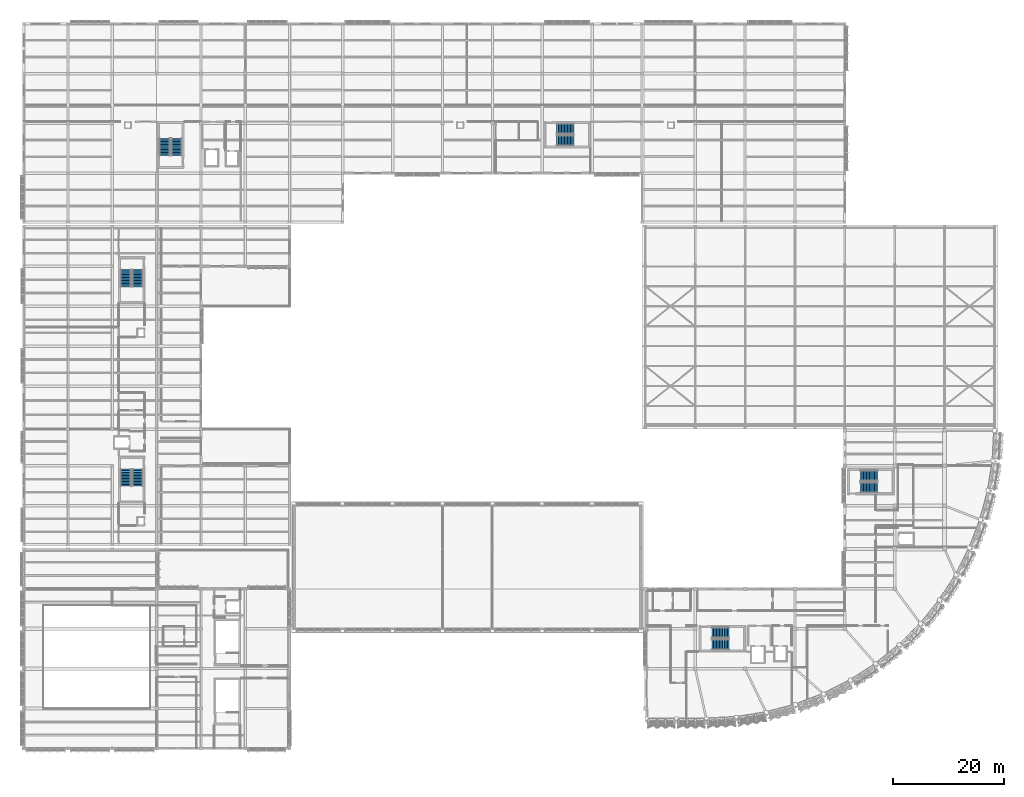
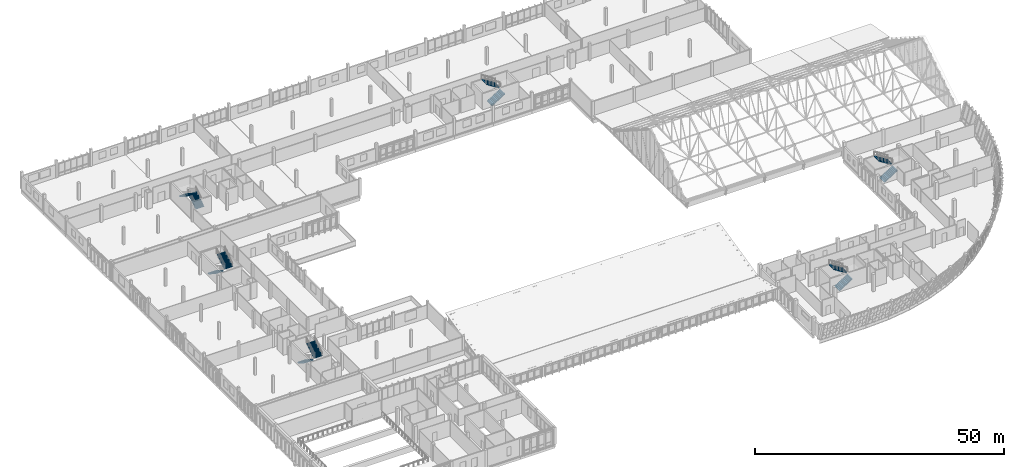
# One storey, part 176 of 182: 12 stair flights, 6 elements without a shape of their own.
"""IFC4 building model written with IfcOpenShell, lengths in metres."""

from ifc_helpers import new_model, si_unit, direction, frame, origin, place, context, subcontext, project, spatial, polyline, outline, extrude, material, type_object, element, aggregate, save


model = new_model("IFC4")

# Units and contexts
model_context = context("Model", 3, precision=1e-05, world=origin(), true_north=direction((0.0, 1.0)))
body_context = subcontext(model_context, "Body", "Model", "MODEL_VIEW")
ifc_project = project(units=[si_unit("LENGTHUNIT", "METRE"), si_unit("AREAUNIT", "SQUARE_METRE"), si_unit("VOLUMEUNIT", "CUBIC_METRE"), si_unit("PLANEANGLEUNIT", "RADIAN"), si_unit("MASSUNIT", "GRAM", prefix="KILO")], contexts=[model_context])

# Site, building, storey
site_placement = place(None, origin())
site = spatial("IfcSite", under=ifc_project, at=site_placement, CompositionType="ELEMENT")
building_placement = place(site_placement, origin())
building = spatial("IfcBuilding", under=site, at=building_placement, Name="Chiffa Square Polytechnic", CompositionType="ELEMENT")
storey_placement = place(building_placement, frame((0.0, 0.0, 9.60009765625)))
storey = spatial("IfcBuildingStorey", under=building, at=storey_placement, Name="L02", CompositionType="ELEMENT", Elevation=9.60009765625)

# Stair, stair flights
ifc_material = material(Name="Concrete C35/45", Category="concrete")
stair_type = type_object("IfcStairType", Name="STAIR-DOG-1950", PredefinedType="HALF_TURN_STAIR", material=ifc_material)
stair_1_placement = place(storey_placement, origin())
stair_1 = element("IfcStair", 1, at=stair_1_placement, inside=storey, type_object=stair_type, Name="L02 Enclosed exit stair ST-V1A", PredefinedType="HALF_TURN_STAIR")
stair_flight_type = type_object("IfcStairFlightType", Name="STFLT-1950", PredefinedType="STRAIGHT", material=ifc_material)
stair_flight_1_placement = place(storey_placement, frame((124.199951171875, 18.72509765625, 0.0), z_axis=(0.0, 0.0, 1.0), x_axis=(1.0, 0.0, 0.0)))
stair_flight_1 = element("IfcStairFlight", 2, at=stair_flight_1_placement, type_object=stair_flight_type, Name="ST-V1A flight 1", NumberOfRisers=12, NumberOfTreads=11, PredefinedType="STRAIGHT", RiserHeight=0.175, TreadLength=0.28, context=body_context, shape_type="SweptSolid", body=[
    extrude(outline(polyline([(0.0, 0.0), (0.0, 0.175048828125), (0.280029296875, 0.175048828125), (0.280029296875, 0.35009765625), (0.56005859375, 0.35009765625), (0.56005859375, 0.52490234375), (0.840087890625, 0.52490234375), (0.840087890625, 0.699951171875), (1.1201171875, 0.699951171875), (1.1201171875, 0.875), (1.39990234375, 0.875), (1.39990234375, 1.050048828125), (1.679931640625, 1.050048828125), (1.679931640625, 1.22509765625), (1.9599609375, 1.22509765625), (1.9599609375, 1.39990234375), (2.239990234375, 1.39990234375), (2.239990234375, 1.574951171875), (2.52001953125, 1.574951171875), (2.52001953125, 1.75), (2.800048828125, 1.75), (2.800048828125, 1.925048828125), (3.080078125, 1.925048828125), (3.080078125, 2.10009765625), (3.080078125, 1.736328125), (0.3017578125, 0.0), (0.0, 0.0)])), frame((0.0, 0.97509765625, 0.0), z_axis=(0.0, -1.0, 0.0), x_axis=(1.0, 0.0, 0.0)), (0.0, 0.0, 1.0), 1.949951171875),
])
stair_flight_2_placement = place(storey_placement, frame((127.280029296875, 20.875, 2.099853515625), z_axis=(0.0, 0.0, 1.0), x_axis=(-1.0, 0.0, 0.0)))
stair_flight_2 = element("IfcStairFlight", 3, at=stair_flight_2_placement, type_object=stair_flight_type, Name="ST-V1A flight 2", NumberOfRisers=12, NumberOfTreads=11, PredefinedType="STRAIGHT", RiserHeight=0.175, TreadLength=0.28, context=body_context, shape_type="SweptSolid", body=[
    extrude(outline(polyline([(0.0, 0.0), (0.0, 0.175048828125), (0.280029296875, 0.175048828125), (0.280029296875, 0.35009765625), (0.56005859375, 0.35009765625), (0.56005859375, 0.52490234375), (0.840087890625, 0.52490234375), (0.840087890625, 0.699951171875), (1.1201171875, 0.699951171875), (1.1201171875, 0.875), (1.39990234375, 0.875), (1.39990234375, 1.050048828125), (1.679931640625, 1.050048828125), (1.679931640625, 1.22509765625), (1.9599609375, 1.22509765625), (1.9599609375, 1.39990234375), (2.239990234375, 1.39990234375), (2.239990234375, 1.574951171875), (2.52001953125, 1.574951171875), (2.52001953125, 1.75), (2.800048828125, 1.75), (2.800048828125, 1.925048828125), (3.080078125, 1.925048828125), (3.080078125, 2.10009765625), (3.080078125, 1.736328125), (0.3017578125, 0.0), (0.0, 0.0)])), frame((0.0, 0.97509765625, 0.0), z_axis=(0.0, -1.0, 0.0), x_axis=(1.0, 0.0, 0.0)), (0.0, 0.0, 1.0), 1.949951171875),
])
aggregate(stair_1, [stair_flight_1, stair_flight_2])

stair_2_placement = place(storey_placement, origin())
stair_2 = element("IfcStair", 4, at=stair_2_placement, inside=storey, type_object=stair_type, Name="L02 Enclosed exit stair ST-V1B", PredefinedType="HALF_TURN_STAIR")
stair_flight_3_placement = place(storey_placement, frame((151.0, 47.074951171875, 0.0), z_axis=(0.0, 0.0, 1.0), x_axis=(1.0, 0.0, 0.0)))
stair_flight_3 = element("IfcStairFlight", 5, at=stair_flight_3_placement, type_object=stair_flight_type, Name="ST-V1B flight 1", NumberOfRisers=12, NumberOfTreads=11, PredefinedType="STRAIGHT", RiserHeight=0.175, TreadLength=0.28, context=body_context, shape_type="SweptSolid", body=[
    extrude(outline(polyline([(0.0, 0.0), (0.0, 0.175048828125), (0.280029296875, 0.175048828125), (0.280029296875, 0.35009765625), (0.56005859375, 0.35009765625), (0.56005859375, 0.52490234375), (0.840087890625, 0.52490234375), (0.840087890625, 0.699951171875), (1.1201171875, 0.699951171875), (1.1201171875, 0.875), (1.39990234375, 0.875), (1.39990234375, 1.050048828125), (1.679931640625, 1.050048828125), (1.679931640625, 1.22509765625), (1.9599609375, 1.22509765625), (1.9599609375, 1.39990234375), (2.239990234375, 1.39990234375), (2.239990234375, 1.574951171875), (2.52001953125, 1.574951171875), (2.52001953125, 1.75), (2.800048828125, 1.75), (2.800048828125, 1.925048828125), (3.080078125, 1.925048828125), (3.080078125, 2.10009765625), (3.080078125, 1.736328125), (0.3017578125, 0.0), (0.0, 0.0)])), frame((0.0, 0.97509765625, 0.0), z_axis=(0.0, -1.0, 0.0), x_axis=(1.0, 0.0, 0.0)), (0.0, 0.0, 1.0), 1.949951171875),
])
stair_flight_4_placement = place(storey_placement, frame((154.080078125, 49.22509765625, 2.099853515625), z_axis=(0.0, 0.0, 1.0), x_axis=(-1.0, 0.0, 0.0)))
stair_flight_4 = element("IfcStairFlight", 6, at=stair_flight_4_placement, type_object=stair_flight_type, Name="ST-V1B flight 2", NumberOfRisers=12, NumberOfTreads=11, PredefinedType="STRAIGHT", RiserHeight=0.175, TreadLength=0.28, context=body_context, shape_type="SweptSolid", body=[
    extrude(outline(polyline([(0.0, 0.0), (0.0, 0.175048828125), (0.280029296875, 0.175048828125), (0.280029296875, 0.35009765625), (0.56005859375, 0.35009765625), (0.56005859375, 0.52490234375), (0.840087890625, 0.52490234375), (0.840087890625, 0.699951171875), (1.1201171875, 0.699951171875), (1.1201171875, 0.875), (1.39990234375, 0.875), (1.39990234375, 1.050048828125), (1.679931640625, 1.050048828125), (1.679931640625, 1.22509765625), (1.9599609375, 1.22509765625), (1.9599609375, 1.39990234375), (2.239990234375, 1.39990234375), (2.239990234375, 1.574951171875), (2.52001953125, 1.574951171875), (2.52001953125, 1.75), (2.800048828125, 1.75), (2.800048828125, 1.925048828125), (3.080078125, 1.925048828125), (3.080078125, 2.10009765625), (3.080078125, 1.736328125), (0.3017578125, 0.0), (0.0, 0.0)])), frame((0.0, 0.97509765625, 0.0), z_axis=(0.0, -1.0, 0.0), x_axis=(1.0, 0.0, 0.0)), (0.0, 0.0, 1.0), 1.949951171875),
])
aggregate(stair_2, [stair_flight_3, stair_flight_4])

stair_3_placement = place(storey_placement, origin())
stair_3 = element("IfcStair", 7, at=stair_3_placement, inside=storey, type_object=stair_type, Name="L02 Enclosed exit stair ST-V5A", PredefinedType="HALF_TURN_STAIR")
stair_flight_5_placement = place(storey_placement, frame((27.625, 107.0, 0.0), z_axis=(0.0, 0.0, 1.0), x_axis=(0.0, 1.0, 0.0)))
stair_flight_5 = element("IfcStairFlight", 8, at=stair_flight_5_placement, type_object=stair_flight_type, Name="ST-V5A flight 1", NumberOfRisers=12, NumberOfTreads=11, PredefinedType="STRAIGHT", RiserHeight=0.175, TreadLength=0.28, context=body_context, shape_type="SweptSolid", body=[
    extrude(outline(polyline([(0.0, 0.0), (0.0, 0.175048828125), (0.280029296875, 0.175048828125), (0.280029296875, 0.35009765625), (0.56005859375, 0.35009765625), (0.56005859375, 0.52490234375), (0.840087890625, 0.52490234375), (0.840087890625, 0.699951171875), (1.1201171875, 0.699951171875), (1.1201171875, 0.875), (1.39990234375, 0.875), (1.39990234375, 1.050048828125), (1.679931640625, 1.050048828125), (1.679931640625, 1.22509765625), (1.9599609375, 1.22509765625), (1.9599609375, 1.39990234375), (2.239990234375, 1.39990234375), (2.239990234375, 1.574951171875), (2.52001953125, 1.574951171875), (2.52001953125, 1.75), (2.800048828125, 1.75), (2.800048828125, 1.925048828125), (3.080078125, 1.925048828125), (3.080078125, 2.10009765625), (3.080078125, 1.736328125), (0.3017578125, 0.0), (0.0, 0.0)])), frame((0.0, 0.97509765625, 0.0), z_axis=(0.0, -1.0, 0.0), x_axis=(1.0, 0.0, 0.0)), (0.0, 0.0, 1.0), 1.949951171875),
])
stair_flight_6_placement = place(storey_placement, frame((25.47509765625, 110.080078125, 2.099853515625), z_axis=(0.0, 0.0, 1.0), x_axis=(0.0, -1.0, 0.0)))
stair_flight_6 = element("IfcStairFlight", 9, at=stair_flight_6_placement, type_object=stair_flight_type, Name="ST-V5A flight 2", NumberOfRisers=12, NumberOfTreads=11, PredefinedType="STRAIGHT", RiserHeight=0.175, TreadLength=0.28, context=body_context, shape_type="SweptSolid", body=[
    extrude(outline(polyline([(0.0, 0.0), (0.0, 0.175048828125), (0.280029296875, 0.175048828125), (0.280029296875, 0.35009765625), (0.56005859375, 0.35009765625), (0.56005859375, 0.52490234375), (0.840087890625, 0.52490234375), (0.840087890625, 0.699951171875), (1.1201171875, 0.699951171875), (1.1201171875, 0.875), (1.39990234375, 0.875), (1.39990234375, 1.050048828125), (1.679931640625, 1.050048828125), (1.679931640625, 1.22509765625), (1.9599609375, 1.22509765625), (1.9599609375, 1.39990234375), (2.239990234375, 1.39990234375), (2.239990234375, 1.574951171875), (2.52001953125, 1.574951171875), (2.52001953125, 1.75), (2.800048828125, 1.75), (2.800048828125, 1.925048828125), (3.080078125, 1.925048828125), (3.080078125, 2.10009765625), (3.080078125, 1.736328125), (0.3017578125, 0.0), (0.0, 0.0)])), frame((0.0, 0.97509765625, 0.0), z_axis=(0.0, -1.0, 0.0), x_axis=(1.0, 0.0, 0.0)), (0.0, 0.0, 1.0), 1.949951171875),
])
aggregate(stair_3, [stair_flight_5, stair_flight_6])

stair_4_placement = place(storey_placement, origin())
stair_4 = element("IfcStair", 10, at=stair_4_placement, inside=storey, type_object=stair_type, Name="L02 Enclosed exit stair ST-V5B", PredefinedType="HALF_TURN_STAIR")
stair_flight_7_placement = place(storey_placement, frame((96.199951171875, 109.675048828125, 0.0), z_axis=(0.0, 0.0, 1.0), x_axis=(1.0, 0.0, 0.0)))
stair_flight_7 = element("IfcStairFlight", 11, at=stair_flight_7_placement, type_object=stair_flight_type, Name="ST-V5B flight 1", NumberOfRisers=12, NumberOfTreads=11, PredefinedType="STRAIGHT", RiserHeight=0.175, TreadLength=0.28, context=body_context, shape_type="SweptSolid", body=[
    extrude(outline(polyline([(0.0, 0.0), (0.0, 0.175048828125), (0.280029296875, 0.175048828125), (0.280029296875, 0.35009765625), (0.56005859375, 0.35009765625), (0.56005859375, 0.52490234375), (0.840087890625, 0.52490234375), (0.840087890625, 0.699951171875), (1.1201171875, 0.699951171875), (1.1201171875, 0.875), (1.39990234375, 0.875), (1.39990234375, 1.050048828125), (1.679931640625, 1.050048828125), (1.679931640625, 1.22509765625), (1.9599609375, 1.22509765625), (1.9599609375, 1.39990234375), (2.239990234375, 1.39990234375), (2.239990234375, 1.574951171875), (2.52001953125, 1.574951171875), (2.52001953125, 1.75), (2.800048828125, 1.75), (2.800048828125, 1.925048828125), (3.080078125, 1.925048828125), (3.080078125, 2.10009765625), (3.080078125, 1.736328125), (0.3017578125, 0.0), (0.0, 0.0)])), frame((0.0, 0.97509765625, 0.0), z_axis=(0.0, -1.0, 0.0), x_axis=(1.0, 0.0, 0.0)), (0.0, 0.0, 1.0), 1.949951171875),
])
stair_flight_8_placement = place(storey_placement, frame((99.280029296875, 111.824951171875, 2.099853515625), z_axis=(0.0, 0.0, 1.0), x_axis=(-1.0, 0.0, 0.0)))
stair_flight_8 = element("IfcStairFlight", 12, at=stair_flight_8_placement, type_object=stair_flight_type, Name="ST-V5B flight 2", NumberOfRisers=12, NumberOfTreads=11, PredefinedType="STRAIGHT", RiserHeight=0.175, TreadLength=0.28, context=body_context, shape_type="SweptSolid", body=[
    extrude(outline(polyline([(0.0, 0.0), (0.0, 0.175048828125), (0.280029296875, 0.175048828125), (0.280029296875, 0.35009765625), (0.56005859375, 0.35009765625), (0.56005859375, 0.52490234375), (0.840087890625, 0.52490234375), (0.840087890625, 0.699951171875), (1.1201171875, 0.699951171875), (1.1201171875, 0.875), (1.39990234375, 0.875), (1.39990234375, 1.050048828125), (1.679931640625, 1.050048828125), (1.679931640625, 1.22509765625), (1.9599609375, 1.22509765625), (1.9599609375, 1.39990234375), (2.239990234375, 1.39990234375), (2.239990234375, 1.574951171875), (2.52001953125, 1.574951171875), (2.52001953125, 1.75), (2.800048828125, 1.75), (2.800048828125, 1.925048828125), (3.080078125, 1.925048828125), (3.080078125, 2.10009765625), (3.080078125, 1.736328125), (0.3017578125, 0.0), (0.0, 0.0)])), frame((0.0, 0.97509765625, 0.0), z_axis=(0.0, -1.0, 0.0), x_axis=(1.0, 0.0, 0.0)), (0.0, 0.0, 1.0), 1.949951171875),
])
aggregate(stair_4, [stair_flight_7, stair_flight_8])

stair_5_placement = place(storey_placement, origin())
stair_5 = element("IfcStair", 13, at=stair_5_placement, inside=storey, type_object=stair_type, Name="L02 Enclosed exit stair ST-V6A", PredefinedType="HALF_TURN_STAIR")
stair_flight_9_placement = place(storey_placement, frame((18.425048828125, 50.39990234375, 0.0), z_axis=(0.0, 0.0, 1.0), x_axis=(0.0, -1.0, 0.0)))
stair_flight_9 = element("IfcStairFlight", 14, at=stair_flight_9_placement, type_object=stair_flight_type, Name="ST-V6A flight 1", NumberOfRisers=12, NumberOfTreads=11, PredefinedType="STRAIGHT", RiserHeight=0.175, TreadLength=0.28, context=body_context, shape_type="SweptSolid", body=[
    extrude(outline(polyline([(0.0, 0.0), (0.0, 0.175048828125), (0.280029296875, 0.175048828125), (0.280029296875, 0.35009765625), (0.56005859375, 0.35009765625), (0.56005859375, 0.52490234375), (0.840087890625, 0.52490234375), (0.840087890625, 0.699951171875), (1.1201171875, 0.699951171875), (1.1201171875, 0.875), (1.39990234375, 0.875), (1.39990234375, 1.050048828125), (1.679931640625, 1.050048828125), (1.679931640625, 1.22509765625), (1.9599609375, 1.22509765625), (1.9599609375, 1.39990234375), (2.239990234375, 1.39990234375), (2.239990234375, 1.574951171875), (2.52001953125, 1.574951171875), (2.52001953125, 1.75), (2.800048828125, 1.75), (2.800048828125, 1.925048828125), (3.080078125, 1.925048828125), (3.080078125, 2.10009765625), (3.080078125, 1.736328125), (0.3017578125, 0.0), (0.0, 0.0)])), frame((0.0, 0.97509765625, 0.0), z_axis=(0.0, -1.0, 0.0), x_axis=(1.0, 0.0, 0.0)), (0.0, 0.0, 1.0), 1.949951171875),
])
stair_flight_10_placement = place(storey_placement, frame((20.574951171875, 47.320068359375, 2.099853515625), z_axis=(0.0, 0.0, 1.0), x_axis=(0.0, 1.0, 0.0)))
stair_flight_10 = element("IfcStairFlight", 15, at=stair_flight_10_placement, type_object=stair_flight_type, Name="ST-V6A flight 2", NumberOfRisers=12, NumberOfTreads=11, PredefinedType="STRAIGHT", RiserHeight=0.175, TreadLength=0.28, context=body_context, shape_type="SweptSolid", body=[
    extrude(outline(polyline([(0.0, 0.0), (0.0, 0.175048828125), (0.280029296875, 0.175048828125), (0.280029296875, 0.35009765625), (0.56005859375, 0.35009765625), (0.56005859375, 0.52490234375), (0.840087890625, 0.52490234375), (0.840087890625, 0.699951171875), (1.1201171875, 0.699951171875), (1.1201171875, 0.875), (1.39990234375, 0.875), (1.39990234375, 1.050048828125), (1.679931640625, 1.050048828125), (1.679931640625, 1.22509765625), (1.9599609375, 1.22509765625), (1.9599609375, 1.39990234375), (2.239990234375, 1.39990234375), (2.239990234375, 1.574951171875), (2.52001953125, 1.574951171875), (2.52001953125, 1.75), (2.800048828125, 1.75), (2.800048828125, 1.925048828125), (3.080078125, 1.925048828125), (3.080078125, 2.10009765625), (3.080078125, 1.736328125), (0.3017578125, 0.0), (0.0, 0.0)])), frame((0.0, 0.97509765625, 0.0), z_axis=(0.0, -1.0, 0.0), x_axis=(1.0, 0.0, 0.0)), (0.0, 0.0, 1.0), 1.949951171875),
])
aggregate(stair_5, [stair_flight_9, stair_flight_10])

stair_6_placement = place(storey_placement, origin())
stair_6 = element("IfcStair", 16, at=stair_6_placement, inside=storey, type_object=stair_type, Name="L02 Enclosed exit stair ST-V6B", PredefinedType="HALF_TURN_STAIR")
stair_flight_11_placement = place(storey_placement, frame((18.425048828125, 86.39990234375, 0.0), z_axis=(0.0, 0.0, 1.0), x_axis=(0.0, -1.0, 0.0)))
stair_flight_11 = element("IfcStairFlight", 17, at=stair_flight_11_placement, type_object=stair_flight_type, Name="ST-V6B flight 1", NumberOfRisers=12, NumberOfTreads=11, PredefinedType="STRAIGHT", RiserHeight=0.175, TreadLength=0.28, context=body_context, shape_type="SweptSolid", body=[
    extrude(outline(polyline([(0.0, 0.0), (0.0, 0.175048828125), (0.280029296875, 0.175048828125), (0.280029296875, 0.35009765625), (0.56005859375, 0.35009765625), (0.56005859375, 0.52490234375), (0.840087890625, 0.52490234375), (0.840087890625, 0.699951171875), (1.1201171875, 0.699951171875), (1.1201171875, 0.875), (1.39990234375, 0.875), (1.39990234375, 1.050048828125), (1.679931640625, 1.050048828125), (1.679931640625, 1.22509765625), (1.9599609375, 1.22509765625), (1.9599609375, 1.39990234375), (2.239990234375, 1.39990234375), (2.239990234375, 1.574951171875), (2.52001953125, 1.574951171875), (2.52001953125, 1.75), (2.800048828125, 1.75), (2.800048828125, 1.925048828125), (3.080078125, 1.925048828125), (3.080078125, 2.10009765625), (3.080078125, 1.736328125), (0.3017578125, 0.0), (0.0, 0.0)])), frame((0.0, 0.97509765625, 0.0), z_axis=(0.0, -1.0, 0.0), x_axis=(1.0, 0.0, 0.0)), (0.0, 0.0, 1.0), 1.949951171875),
])
stair_flight_12_placement = place(storey_placement, frame((20.574951171875, 83.320068359375, 2.099853515625), z_axis=(0.0, 0.0, 1.0), x_axis=(0.0, 1.0, 0.0)))
stair_flight_12 = element("IfcStairFlight", 18, at=stair_flight_12_placement, type_object=stair_flight_type, Name="ST-V6B flight 2", NumberOfRisers=12, NumberOfTreads=11, PredefinedType="STRAIGHT", RiserHeight=0.175, TreadLength=0.28, context=body_context, shape_type="SweptSolid", body=[
    extrude(outline(polyline([(0.0, 0.0), (0.0, 0.175048828125), (0.280029296875, 0.175048828125), (0.280029296875, 0.35009765625), (0.56005859375, 0.35009765625), (0.56005859375, 0.52490234375), (0.840087890625, 0.52490234375), (0.840087890625, 0.699951171875), (1.1201171875, 0.699951171875), (1.1201171875, 0.875), (1.39990234375, 0.875), (1.39990234375, 1.050048828125), (1.679931640625, 1.050048828125), (1.679931640625, 1.22509765625), (1.9599609375, 1.22509765625), (1.9599609375, 1.39990234375), (2.239990234375, 1.39990234375), (2.239990234375, 1.574951171875), (2.52001953125, 1.574951171875), (2.52001953125, 1.75), (2.800048828125, 1.75), (2.800048828125, 1.925048828125), (3.080078125, 1.925048828125), (3.080078125, 2.10009765625), (3.080078125, 1.736328125), (0.3017578125, 0.0), (0.0, 0.0)])), frame((0.0, 0.97509765625, 0.0), z_axis=(0.0, -1.0, 0.0), x_axis=(1.0, 0.0, 0.0)), (0.0, 0.0, 1.0), 1.949951171875),
])
aggregate(stair_6, [stair_flight_11, stair_flight_12])

save(model, "model.ifc")
